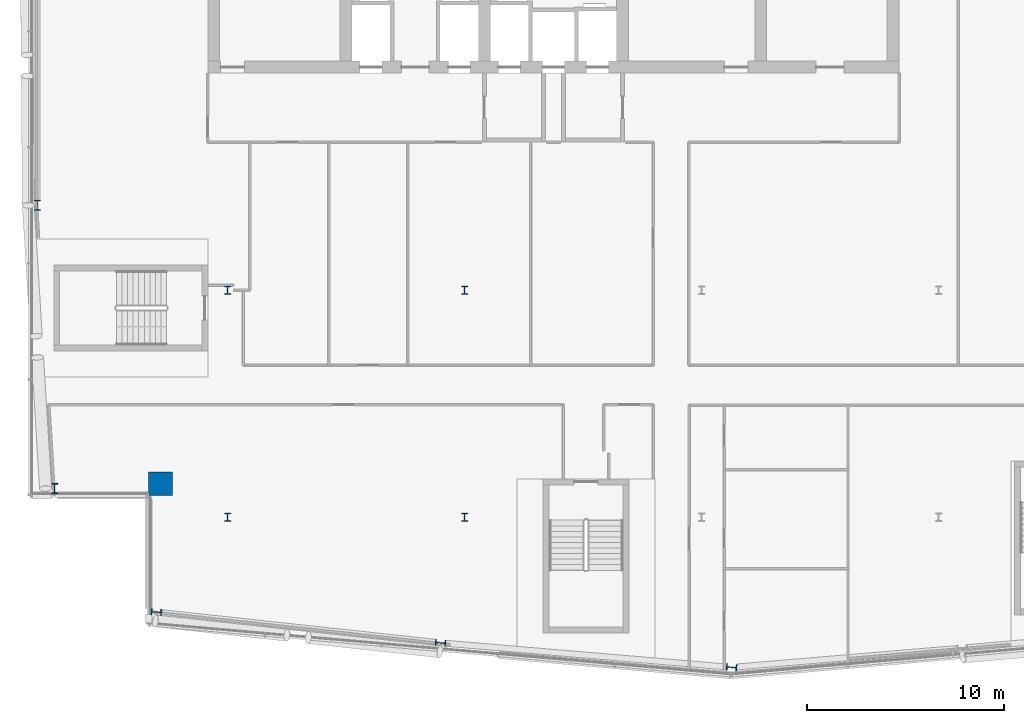
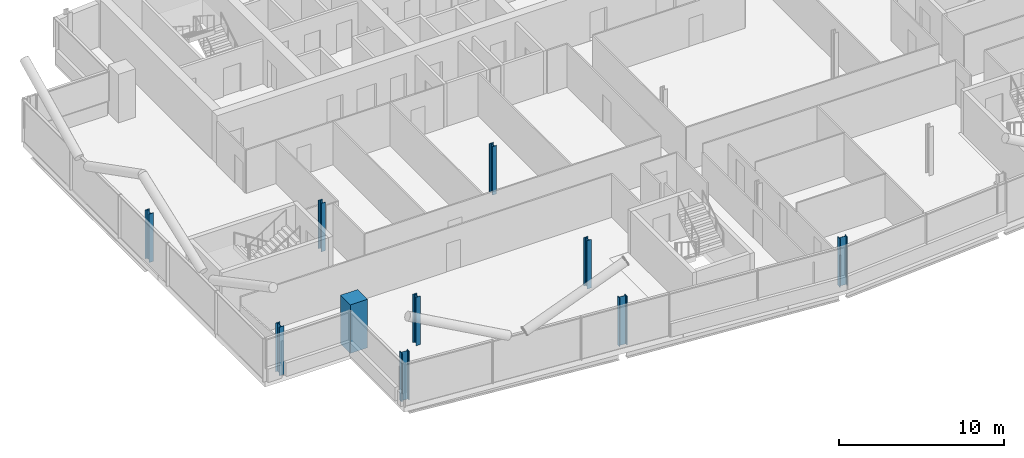
# One storey, part 1 of 26: 10 columns.
"""IFC4 building model written with IfcOpenShell, lengths in metres."""

import ifcopenshell
import ifcopenshell.guid

model = None  # the IFC model being written
_history = None  # IfcOwnerHistory: only IFC2X3 demands one
_inside = {}  # id of a spatial element -> (the spatial element, [elements in it])
_under = {}  # id of a project, library or spatial element -> (it, [spatial elements below it])
_declared = {}  # id of a project -> (the project, [libraries it declares])
_typed = {}  # id of a type object -> (the type object, [elements of that type])
_made_of = {}  # id of a material, layer set ... -> (it, [elements and type objects made of it])


def new_model(schema):
    """Start an empty IFC model of exactly this schema.

    Asked for "IFC4X3", IfcOpenShell would pick the latest addendum, in which some entities
    have other attributes; the version numbers below select the first issue.
    IFC2X3 requires an IfcOwnerHistory on every rooted entity: one is made here for all.
    """
    global model, _history
    if schema == "IFC4X3":
        model = ifcopenshell.file(schema_version=(4, 3, 0, 0))
    else:
        model = ifcopenshell.file(schema=schema)
    _inside.clear()
    _under.clear()
    _declared.clear()
    _typed.clear()
    _made_of.clear()
    _history = None
    if model.schema == "IFC2X3":
        org = make("IfcOrganization", Name="unknown")
        user = make(
            "IfcPersonAndOrganization",
            ThePerson=make("IfcPerson", FamilyName="unknown"),
            TheOrganization=org,
        )
        app = make(
            "IfcApplication",
            ApplicationDeveloper=org,
            Version="unknown",
            ApplicationFullName="unknown",
            ApplicationIdentifier="unknown",
        )
        _history = make(
            "IfcOwnerHistory",
            OwningUser=user,
            OwningApplication=app,
            ChangeAction="ADDED",
            CreationDate=0,
        )
    return model


def make(cls, **values):
    """One entity of the class cls with the attributes given. An attribute that is None is left unset."""
    return model.create_entity(
        cls, **{name: value for name, value in values.items() if value is not None}
    )


def rooted(cls, **values):
    """An entity with a GlobalId (a new one), such as an element, a storey or a relation."""
    return make(cls, GlobalId=ifcopenshell.guid.new(), OwnerHistory=_history, **values)


def si_unit(unit_type, name, prefix=None):
    """IfcSIUnit, for example si_unit("LENGTHUNIT", "METRE", prefix="MILLI")."""
    return make("IfcSIUnit", UnitType=unit_type, Prefix=prefix, Name=name)


def assignment(units):
    """IfcUnitAssignment: the units of a project."""
    return None if units is None else make("IfcUnitAssignment", Units=units)


def point(xyz):
    """IfcCartesianPoint."""
    return None if xyz is None else make("IfcCartesianPoint", Coordinates=xyz)


def direction(xyz):
    """IfcDirection."""
    return None if xyz is None else make("IfcDirection", DirectionRatios=xyz)


def frame(location, z_axis=None, x_axis=None):
    """IfcAxis2Placement3D, a coordinate frame: its origin and axes. An axis left out is left unset."""
    return make(
        "IfcAxis2Placement3D",
        Location=point(location),
        Axis=direction(z_axis),
        RefDirection=direction(x_axis),
    )


def frame_2d(location, x_axis=None):
    """IfcAxis2Placement2D, a coordinate frame in the plane: its origin and x axis."""
    return make(
        "IfcAxis2Placement2D", Location=point(location), RefDirection=direction(x_axis)
    )


def origin():
    """The frame at (0, 0, 0) with its axes left unset."""
    return frame((0.0, 0.0, 0.0))


def origin_2d():
    """The frame at (0, 0) in the plane with its x axis left unset."""
    return frame_2d((0.0, 0.0))


def place(relative_to, where):
    """IfcLocalPlacement: puts the frame where relative to a parent placement (None: the world)."""
    return make(
        "IfcLocalPlacement", PlacementRelTo=relative_to, RelativePlacement=where
    )


def context(
    kind, dimensions, precision=None, world=None, true_north=None, identifier=None
):
    """IfcGeometricRepresentationContext, for example the 3D "Model" context."""
    return make(
        "IfcGeometricRepresentationContext",
        ContextIdentifier=identifier,
        ContextType=kind,
        CoordinateSpaceDimension=dimensions,
        Precision=precision,
        WorldCoordinateSystem=world,
        TrueNorth=true_north,
    )


def subcontext(parent, identifier, kind, view, scale=None):
    """IfcGeometricRepresentationSubContext, for example "Body" below "Model"."""
    return make(
        "IfcGeometricRepresentationSubContext",
        ContextIdentifier=identifier,
        ContextType=kind,
        ParentContext=parent,
        TargetScale=scale,
        TargetView=view,
    )


def project(units=None, contexts=None):
    """IfcProject with its units and contexts."""
    return rooted(
        "IfcProject",
        Name="project",
        RepresentationContexts=contexts,
        UnitsInContext=assignment(units),
    )


def spatial(cls, under=None, at=None, **own):
    """A site, building, storey or space (cls), placed at a placement, below another one or the project."""
    s = rooted(cls, ObjectPlacement=at, **own)
    if under is not None:
        _under.setdefault(under.id(), (under, []))[1].append(s)
    return s


def profile(cls, at=None, kind="AREA", **sizes):
    """A parametric profile (cls). Its sizes go by their IFC names, for example OverallWidth=200.0."""
    return make(cls, ProfileType=kind, Position=at, **sizes)


def rectangle(**sizes):
    """IfcRectangleProfileDef."""
    return profile("IfcRectangleProfileDef", **sizes)


def i_section(**sizes):
    """IfcIShapeProfileDef."""
    return profile("IfcIShapeProfileDef", **sizes)


def extrude(swept, where, along, depth):
    """IfcExtrudedAreaSolid: the profile swept, set in the frame where, extruded along a direction by depth."""
    return make(
        "IfcExtrudedAreaSolid",
        SweptArea=swept,
        Position=where,
        ExtrudedDirection=direction(along),
        Depth=depth,
    )


def shape(context_of_items, identifier, shape_type, items):
    """IfcShapeRepresentation: the items that make up one representation, for example the "Body"."""
    return make(
        "IfcShapeRepresentation",
        ContextOfItems=context_of_items,
        RepresentationIdentifier=identifier,
        RepresentationType=shape_type,
        Items=items,
    )


def material(Name=None, Category=None):
    """IfcMaterial."""
    return make("IfcMaterial", Name=Name, Category=Category)


def material_profile(
    of_material, cross_section, Name=None, Category=None, Priority=None
):
    """IfcMaterialProfile: a cross section and its material."""
    return make(
        "IfcMaterialProfile",
        Name=Name,
        Material=of_material,
        Profile=cross_section,
        Priority=Priority,
        Category=Category,
    )


def profile_set(profiles, Name=None, composite=None):
    """IfcMaterialProfileSet."""
    return make(
        "IfcMaterialProfileSet",
        Name=Name,
        MaterialProfiles=profiles,
        CompositeProfile=composite,
    )


def made_of(thing, what):
    """Note that an element or type object is made of a material, layer set ...; save() writes the relation."""
    if what is not None:
        _made_of.setdefault(what.id(), (what, []))[1].append(thing)
    return thing


def type_object(cls, material=None, **own):
    """A type object (cls), such as IfcWallType, which elements share."""
    return made_of(rooted(cls, **own), material)


def element(
    cls,
    number,
    at=None,
    inside=None,
    cuts=None,
    type_object=None,
    material=None,
    context=None,
    identifier="Body",
    shape_type=None,
    held_by="IfcProductDefinitionShape",
    body=None,
    shapes=None,
    **own,
):
    """One element of the class cls, such as IfcWall. Its Tag is "e" and its number.

    at: its placement. inside: the storey or other place that contains it. cuts: it is an
    opening in that element (IfcRelVoidsElement). A single representation is given by context,
    identifier, shape_type and body (its items); several are given by shapes. held_by: the class
    of the entity that holds the representations. save() writes the other relations.
    """
    e = rooted(cls, Tag="e%d" % number, ObjectPlacement=at, **own)
    if body is not None:
        shapes = [shape(context, identifier, shape_type, body)]
    if shapes is not None:
        e.Representation = make(held_by, Representations=shapes)
    if inside is not None:
        _inside.setdefault(inside.id(), (inside, []))[1].append(e)
    if cuts is not None:
        rooted(
            "IfcRelVoidsElement", RelatingBuildingElement=cuts, RelatedOpeningElement=e
        )
    if type_object is not None:
        _typed.setdefault(type_object.id(), (type_object, []))[1].append(e)
    return made_of(e, material)


def aggregate(whole, parts):
    """IfcRelAggregates: a whole, such as a stair, and the parts it consists of."""
    return rooted("IfcRelAggregates", RelatingObject=whole, RelatedObjects=parts)


def save(model, path):
    """Write the relations noted so far, then the file.

    IfcRelAggregates (storeys below a building ...), IfcRelContainedInSpatialStructure (elements
    in a storey), IfcRelDefinesByType, IfcRelAssociatesMaterial and IfcRelDeclares: one each for
    every whole, place, type object, material and project.
    """
    for whole, parts in _under.values():
        aggregate(whole, parts)
    for where, things in _inside.values():
        rooted(
            "IfcRelContainedInSpatialStructure",
            RelatedElements=things,
            RelatingStructure=where,
        )
    for kind, things in _typed.values():
        rooted("IfcRelDefinesByType", RelatedObjects=things, RelatingType=kind)
    for what, things in _made_of.values():
        rooted("IfcRelAssociatesMaterial", RelatedObjects=things, RelatingMaterial=what)
    for by, libraries in _declared.values():
        rooted("IfcRelDeclares", RelatingContext=by, RelatedDefinitions=libraries)
    model.write(path)


model = new_model("IFC4")

# Units and contexts
model_context = context("Model", 3, precision=1e-05, world=origin(), true_north=direction((0.0, 1.0)))
body_context = subcontext(model_context, "Body", "Model", "MODEL_VIEW")
ifc_project = project(units=[si_unit("LENGTHUNIT", "METRE"), si_unit("AREAUNIT", "SQUARE_METRE"), si_unit("VOLUMEUNIT", "CUBIC_METRE"), si_unit("PLANEANGLEUNIT", "RADIAN"), si_unit("MASSUNIT", "GRAM", prefix="KILO")], contexts=[model_context])

# Site, building, storey
site_placement = place(None, origin())
site = spatial("IfcSite", under=ifc_project, at=site_placement, CompositionType="ELEMENT")
building_placement = place(site_placement, origin())
building = spatial("IfcBuilding", under=site, at=building_placement, Name="Wharfspan Tower", CompositionType="ELEMENT")
storey_placement = place(building_placement, frame((0.0, 0.0, 214.300049)))
storey = spatial("IfcBuildingStorey", under=building, at=storey_placement, Name="L53", CompositionType="ELEMENT", Elevation=214.300049)

# Columns
ifc_material_1 = material(Name="Steel S355J2", Category="steel")
ifc_material_profile_1 = material_profile(ifc_material_1, i_section(OverallWidth=0.300049, OverallDepth=0.399902, WebThickness=0.013428, FlangeThickness=0.023926, FilletRadius=0.0271, at=origin_2d()))
ifc_profile_set_1 = profile_set([ifc_material_profile_1], Name="Steel S355J2")
column_type_1 = type_object("IfcColumnType", Name="Column HEB 400", PredefinedType="COLUMN", material=ifc_profile_set_1)
for number, where, z_axis, x_axis, name in (
    (1, (24.0, 11.5, 0.0), (0.0, 0.0, 1.0), (1.0, 0.0, 0.0), "Interior column I.1.1 L53"),
    (2, (36.0, 11.5, 0.0), (0.0, 0.0, 1.0), (1.0, 0.0, 0.0), "Interior column I.1.2 L53"),
    (3, (24.0, 23.0, 0.0), (0.0, 0.0, 1.0), (1.0, 0.0, 0.0), "Interior column I.2.1 L53"),
    (4, (36.0, 23.0, 0.0), (0.0, 0.0, 1.0), (1.0, 0.0, 0.0), "Interior column I.2.2 L53"),
):
    element("IfcColumn", number, at=place(storey_placement, frame(where, z_axis=z_axis, x_axis=x_axis)), inside=storey, type_object=column_type_1, Name=name, PredefinedType="COLUMN", context=body_context, shape_type="SweptSolid", body=[
        extrude(i_section(OverallWidth=0.300049, OverallDepth=0.399902, WebThickness=0.013428, FlangeThickness=0.023926, FilletRadius=0.0271, at=origin_2d()), origin(), (0.0, 0.0, 1.0), 3.599854),
    ])
ifc_material_profile_2 = material_profile(ifc_material_1, i_section(OverallWidth=0.305908, OverallDepth=0.523926, WebThickness=0.020996, FlangeThickness=0.040039, FilletRadius=0.0271, at=origin_2d()))
ifc_profile_set_2 = profile_set([ifc_material_profile_2], Name="Steel S355J2")
column_type_2 = type_object("IfcColumnType", Name="Column HEM 500", PredefinedType="COLUMN", material=ifc_profile_set_2)
for number, where, z_axis, x_axis, name in (
    (5, (20.392334, 6.702637, 0.0), (0.0, 0.0, 1.0), (-0.087156, -0.996197, 0.0), "Perimeter column PS1.1 L53"),
    (6, (34.781494, 5.143311, 0.0), (0.0, 0.0, 1.0), (-0.087156, -0.996197, 0.0), "Perimeter column PS1.2 L53"),
    (7, (49.522949, 3.9021, 0.0), (0.0, 0.0, 1.0), (-0.087156, -0.996197, 0.0), "Perimeter column PS1.3 L53"),
    (8, (14.360107, 27.300049, 0.0), (0.0, 0.0, 1.0), (-1.0, 0.0, 0.0), "Perimeter column PW.1 L53"),
    (9, (15.237793, 12.963379, 0.0), (0.0, 0.0, 1.0), (-1.0, 0.0, 0.0), "Perimeter column PW.2 L53"),
):
    element("IfcColumn", number, at=place(storey_placement, frame(where, z_axis=z_axis, x_axis=x_axis)), inside=storey, type_object=column_type_2, Name=name, PredefinedType="COLUMN", context=body_context, shape_type="SweptSolid", body=[
        extrude(i_section(OverallWidth=0.305908, OverallDepth=0.523926, WebThickness=0.020996, FlangeThickness=0.040039, FilletRadius=0.0271, at=origin_2d()), origin(), (0.0, 0.0, 1.0), 3.599854),
    ])
ifc_material_2 = material(Name="Concrete C50/60", Category="concrete")
ifc_material_profile_3 = material_profile(ifc_material_2, rectangle(XDim=1.199951, YDim=1.199951, at=origin_2d()))
ifc_profile_set_3 = profile_set([ifc_material_profile_3], Name="Concrete C50/60")
column_type_3 = type_object("IfcColumnType", Name="Mega column 1200 C50/60", PredefinedType="COLUMN", material=ifc_profile_set_3)
column_placement = place(storey_placement, frame((20.600098, 13.199951, 0.0), z_axis=(0.0, 0.0, 1.0), x_axis=(1.0, 0.0, 0.0)))
element("IfcColumn", 10, at=column_placement, inside=storey, type_object=column_type_3, Name="Mega column MC1 L53", PredefinedType="COLUMN", context=body_context, shape_type="SweptSolid", body=[
    extrude(rectangle(XDim=1.199951, YDim=1.199951, at=origin_2d()), origin(), (0.0, 0.0, 1.0), 3.599854),
])

save(model, "model.ifc")
